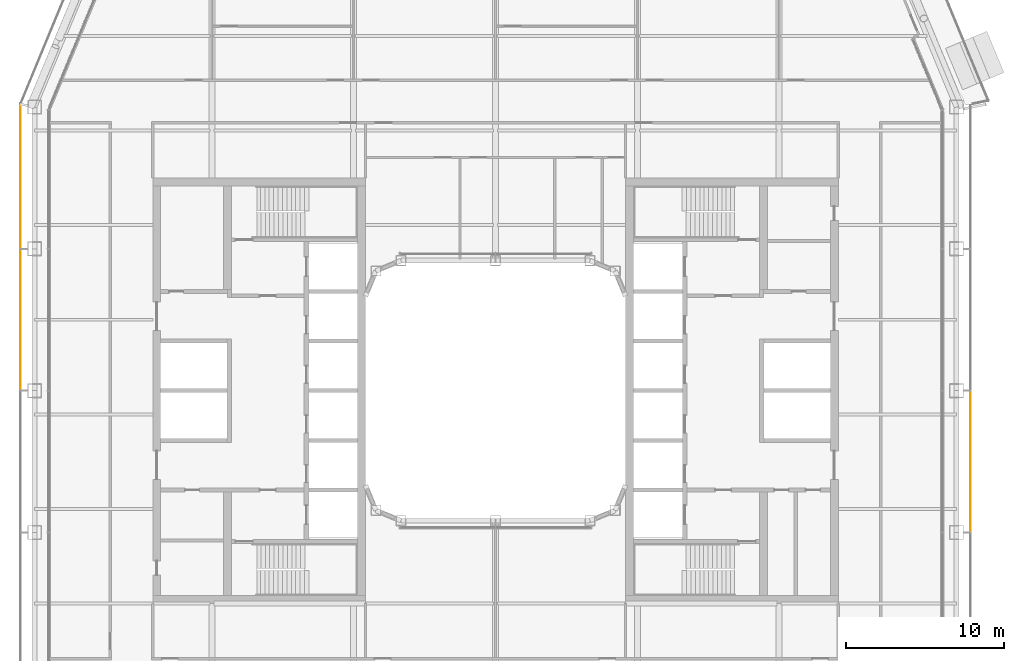
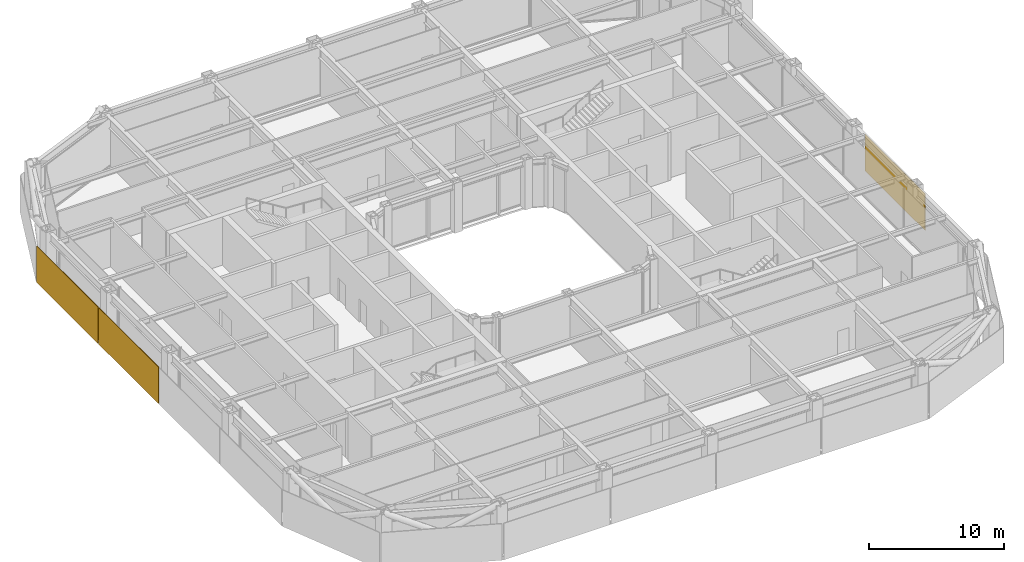
# One storey, part 21 of 24: 3 coverings.
"""IFC4 building model written with IfcOpenShell, lengths in metres."""

from ifc_helpers import new_model, si_unit, direction, frame, origin, origin_2d, place, context, subcontext, project, spatial, rectangle, extrude, material, layer, layer_set, type_object, element, save


model = new_model("IFC4")

# Units and contexts
model_context = context("Model", 3, precision=1e-05, world=origin(), true_north=direction((0.0, 1.0)))
body_context = subcontext(model_context, "Body", "Model", "MODEL_VIEW")
ifc_project = project(units=[si_unit("LENGTHUNIT", "METRE"), si_unit("AREAUNIT", "SQUARE_METRE"), si_unit("VOLUMEUNIT", "CUBIC_METRE"), si_unit("PLANEANGLEUNIT", "RADIAN"), si_unit("MASSUNIT", "GRAM", prefix="KILO")], contexts=[model_context])

# Site, building, storey
site_placement = place(None, origin())
site = spatial("IfcSite", under=ifc_project, at=site_placement, CompositionType="ELEMENT")
building_placement = place(site_placement, origin())
building = spatial("IfcBuilding", under=site, at=building_placement, Name="Siwar Civic Tower", CompositionType="ELEMENT")
storey_placement = place(building_placement, frame((0.0, 0.0, 149.699951171875)))
storey = spatial("IfcBuildingStorey", under=building, at=storey_placement, Name="L32", CompositionType="ELEMENT", Elevation=149.699951171875)

# Coverings
ifc_material_1 = material(Name="Perforated aluminium cassette, pale metal", Category="aluminium")
ifc_layer_1 = layer(ifc_material_1, 0.0400390625)
ifc_layer_set_1 = layer_set([ifc_layer_1], Name="Perforated aluminium cassette, pale metal")
covering_type_1 = type_object("IfcCoveringType", Name="ENV-OUTER SKIN OS-1", PredefinedType="CLADDING", material=ifc_layer_set_1)
covering_1_placement = place(storey_placement, frame((30.14990234375, -4.5, -0.14990234375), z_axis=(0.0, 0.0, 1.0), x_axis=(0.0, 1.0, 0.0)))
element("IfcCovering", 1, at=covering_1_placement, inside=storey, type_object=covering_type_1, Name="OUTER SKIN OS-1 E 2", PredefinedType="CLADDING", context=body_context, shape_type="SweptSolid", body=[
    extrude(rectangle(XDim=8.89990234375, YDim=0.0400390625, at=origin_2d()), origin(), (0.0, 0.0, 1.0), 3.300048828125),
])
ifc_material_2 = material(Name="Perforated aluminium cassette, pale metal", Category="aluminium")
ifc_layer_2 = layer(ifc_material_2, 0.050048828125)
ifc_layer_set_2 = layer_set([ifc_layer_2], Name="Perforated aluminium cassette, pale metal")
covering_type_2 = type_object("IfcCoveringType", Name="ENV-OUTER SKIN OS-3", PredefinedType="CLADDING", material=ifc_layer_set_2)
covering_2_placement = place(storey_placement, frame((-30.14990234375, 13.57958984375, -0.14990234375), z_axis=(0.0, 0.0, 1.0), x_axis=(0.0, -1.0, 0.0)))
element("IfcCovering", 2, at=covering_2_placement, inside=storey, type_object=covering_type_2, Name="OUTER SKIN OS-3 W 1", PredefinedType="CLADDING", context=body_context, shape_type="SweptSolid", body=[
    extrude(rectangle(XDim=9.05908203125, YDim=0.050048828125, at=origin_2d()), origin(), (0.0, 0.0, 1.0), 3.300048828125),
])
covering_3_placement = place(storey_placement, frame((-30.14990234375, 4.5, -0.14990234375), z_axis=(0.0, 0.0, 1.0), x_axis=(0.0, -1.0, 0.0)))
element("IfcCovering", 3, at=covering_3_placement, inside=storey, type_object=covering_type_2, Name="OUTER SKIN OS-3 W 2", PredefinedType="CLADDING", context=body_context, shape_type="SweptSolid", body=[
    extrude(rectangle(XDim=8.89990234375, YDim=0.050048828125, at=origin_2d()), origin(), (0.0, 0.0, 1.0), 3.300048828125),
])

save(model, "model.ifc")
